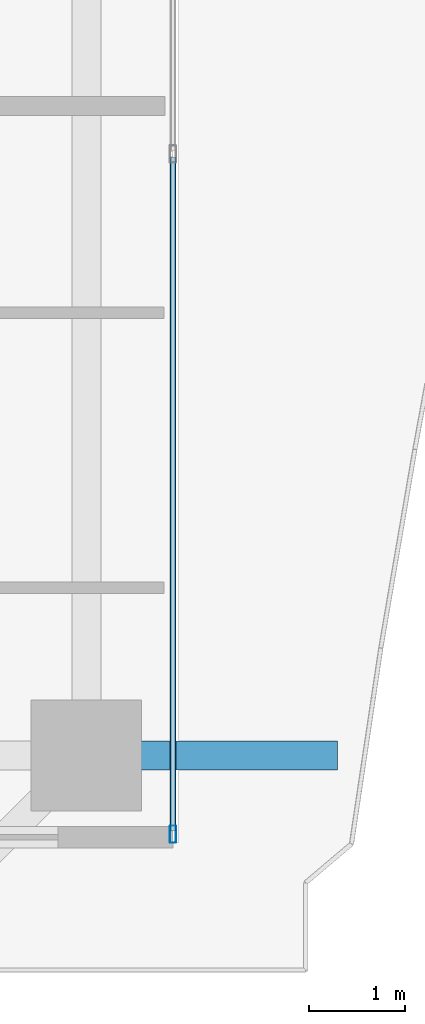
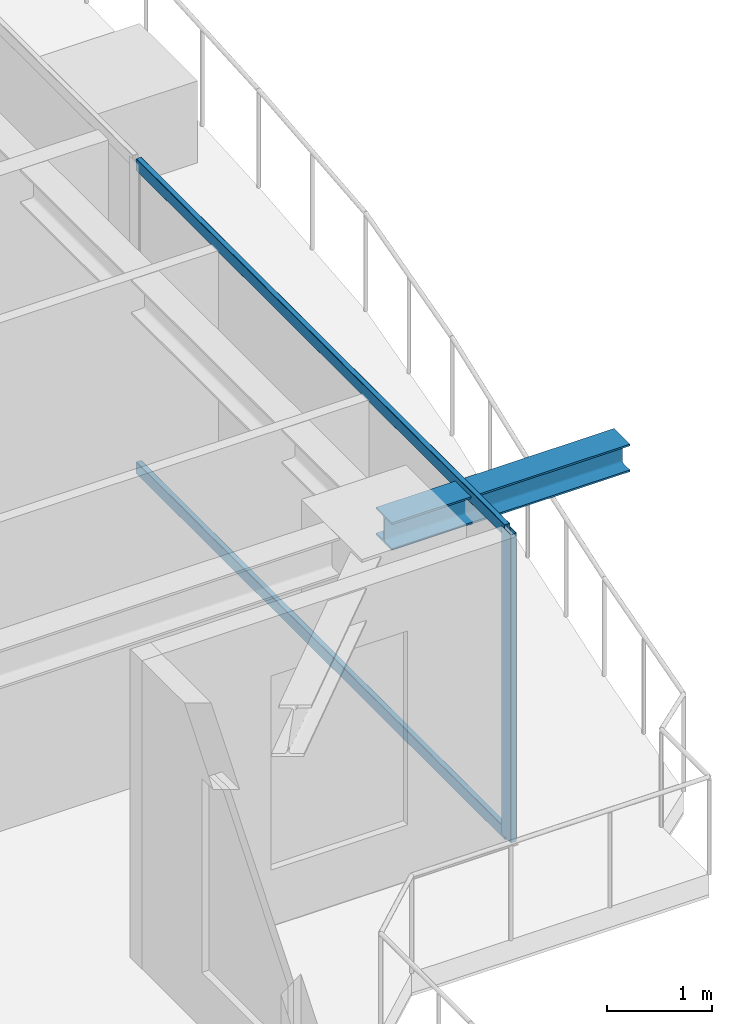
# One storey, part 13 of 38: 3 members, 1 beam, 1 element without a shape of its own.
"""IFC4 building model written with IfcOpenShell, lengths in metres."""

from ifc_helpers import new_model, si_unit, direction, frame, origin, origin_2d, place, context, subcontext, project, spatial, hollow_rectangle, i_section, extrude, source, transform, mapped, material, layer, layer_set, material_profile, profile_set, type_object, element, aggregate, save


model = new_model("IFC4")

# Units and contexts
model_context = context("Model", 3, precision=1e-05, world=origin(), true_north=direction((0.0, 1.0)))
body_context = subcontext(model_context, "Body", "Model", "MODEL_VIEW")
ifc_project = project(units=[si_unit("LENGTHUNIT", "METRE"), si_unit("AREAUNIT", "SQUARE_METRE"), si_unit("VOLUMEUNIT", "CUBIC_METRE"), si_unit("PLANEANGLEUNIT", "RADIAN"), si_unit("MASSUNIT", "GRAM", prefix="KILO")], contexts=[model_context])

# Site, building, storey
site_placement = place(None, origin())
site = spatial("IfcSite", under=ifc_project, at=site_placement, CompositionType="ELEMENT")
building_placement = place(site_placement, origin())
building = spatial("IfcBuilding", under=site, at=building_placement, Name="Serunith Strait Residences", CompositionType="ELEMENT")
storey_placement = place(building_placement, frame((0.0, 0.0, 229.699951171875)))
storey = spatial("IfcBuildingStorey", under=building, at=storey_placement, Name="L57", CompositionType="ELEMENT", Elevation=229.699951171875)

# Beam
ifc_material_1 = material(Name="Steel S355J2", Category="steel")
ifc_material_profile_1 = material_profile(ifc_material_1, i_section(OverallWidth=0.300048828125, OverallDepth=0.320068359375, WebThickness=0.011474609375, FlangeThickness=0.0205078125, FilletRadius=0.027099609375, at=origin_2d()), Name="HEB 320")
ifc_profile_set_1 = profile_set([ifc_material_profile_1], Name="Steel S355J2")
beam_type = type_object("IfcBeamType", Name="BM-HEB320", PredefinedType="BEAM", material=ifc_profile_set_1)
shared_shape_1 = source(origin(), body_context, "Body", "SweptSolid", [
    extrude(i_section(OverallWidth=0.300048828125, OverallDepth=0.320068359375, WebThickness=0.011474609375, FlangeThickness=0.0205078125, FilletRadius=0.027099609375, at=origin_2d()), origin(), (0.0, 0.0, 1.0), 2.611328125),
])
beam_placement = place(storey_placement, frame((56.5, 10.050048828125, 3.39697265625), z_axis=(1.0, 0.0, 0.0), x_axis=(0.0, 1.0, 0.0)))
element("IfcBeam", 1, at=beam_placement, inside=storey, type_object=beam_type, Name="L58 Cantilevered Balcony Rib TC-E1", PredefinedType="BEAM", context=body_context, shape_type="MappedRepresentation", body=[
    mapped(shared_shape_1, transform((0.0, 0.0, 0.0), scale=1.0)),
])

# Curtain wall, members
ifc_material_2 = material(Name="Pale-Champagne Anodised Aluminium", Category="aluminium")
ifc_layer = layer(ifc_material_2, 0.199951171875, Name="Pale-Champagne Anodised Aluminium")
ifc_layer_set = layer_set([ifc_layer], Name="Pale-Champagne Anodised Aluminium")
curtain_wall_type = type_object("IfcCurtainWallType", Name="CW-SYS4", PredefinedType="NOTDEFINED", material=ifc_layer_set)
curtain_wall_placement = place(storey_placement, origin())
curtain_wall = element("IfcCurtainWall", 2, at=curtain_wall_placement, inside=storey, type_object=curtain_wall_type, Name="L57 E Unitised Fritted Curtain Wall", PredefinedType="NOTDEFINED")
ifc_material_profile_2 = material_profile(ifc_material_2, hollow_rectangle(XDim=0.06494140625, YDim=0.179931640625, WallThickness=0.00341796875, InnerFilletRadius=0.00537109375, OuterFilletRadius=0.0087890625, at=origin_2d()), Name="ALU 180x65x3.5")
ifc_profile_set_2 = profile_set([ifc_material_profile_2], Name="Pale-Champagne Anodised Aluminium")
member_type_1 = type_object("IfcMemberType", Name="CW-SYS4-MULL", PredefinedType="MULLION", material=ifc_profile_set_2)
shared_shape_2 = source(origin(), body_context, "Body", "SweptSolid", [
    extrude(hollow_rectangle(XDim=0.06494140625, YDim=0.179931640625, WallThickness=0.00341796875, InnerFilletRadius=0.00537109375, OuterFilletRadius=0.0087890625, at=origin_2d()), origin(), (0.0, 0.0, 1.0), 3.574951171875),
])
member_1_placement = place(storey_placement, frame((57.39990234375, 9.232421875, 0.0), z_axis=(0.0, 0.0, 1.0), x_axis=(-1.0, 0.0, 0.0)))
member_1 = element("IfcMember", 3, at=member_1_placement, type_object=member_type_1, Name="CW-4 mullion 1", PredefinedType="MULLION", context=body_context, shape_type="MappedRepresentation", body=[
    mapped(shared_shape_2, transform((0.0, 0.0, 0.0), scale=1.0)),
])
ifc_material_profile_3 = material_profile(ifc_material_2, hollow_rectangle(XDim=0.06005859375, YDim=0.139892578125, WallThickness=0.00341796875, InnerFilletRadius=0.00537109375, OuterFilletRadius=0.0087890625, at=origin_2d()), Name="ALU 140x60x3.5")
ifc_profile_set_3 = profile_set([ifc_material_profile_3], Name="Pale-Champagne Anodised Aluminium")
member_type_2 = type_object("IfcMemberType", Name="CW-SYS4-TRAN", PredefinedType="USERDEFINED", material=ifc_profile_set_3)
shared_shape_3 = source(origin(), body_context, "Body", "SweptSolid", [
    extrude(hollow_rectangle(XDim=0.06005859375, YDim=0.139892578125, WallThickness=0.00341796875, InnerFilletRadius=0.00537109375, OuterFilletRadius=0.0087890625, at=origin_2d()), origin(), (0.0, 0.0, 1.0), 7.002685546875),
])
member_2_placement = place(storey_placement, frame((57.39990234375, 9.264892578125, 0.030029296875), z_axis=(0.0, 1.0, 0.0), x_axis=(-1.0, 0.0, 0.0)))
member_2 = element("IfcMember", 4, at=member_2_placement, type_object=member_type_2, Name="CW-4 transom 1.1", ObjectType="TRANSOM", PredefinedType="USERDEFINED", context=body_context, shape_type="MappedRepresentation", body=[
    mapped(shared_shape_3, transform((0.0, 0.0, 0.0), scale=1.0)),
])
member_3_placement = place(storey_placement, frame((57.39990234375, 9.264892578125, 3.545166015625), z_axis=(0.0, 1.0, 0.0), x_axis=(-1.0, 0.0, 0.0)))
member_3 = element("IfcMember", 5, at=member_3_placement, type_object=member_type_2, Name="CW-4 transom 1.2", ObjectType="TRANSOM", PredefinedType="USERDEFINED", context=body_context, shape_type="MappedRepresentation", body=[
    mapped(shared_shape_3, transform((0.0, 0.0, 0.0), scale=1.0)),
])
aggregate(curtain_wall, [member_1, member_2, member_3])

save(model, "model.ifc")
